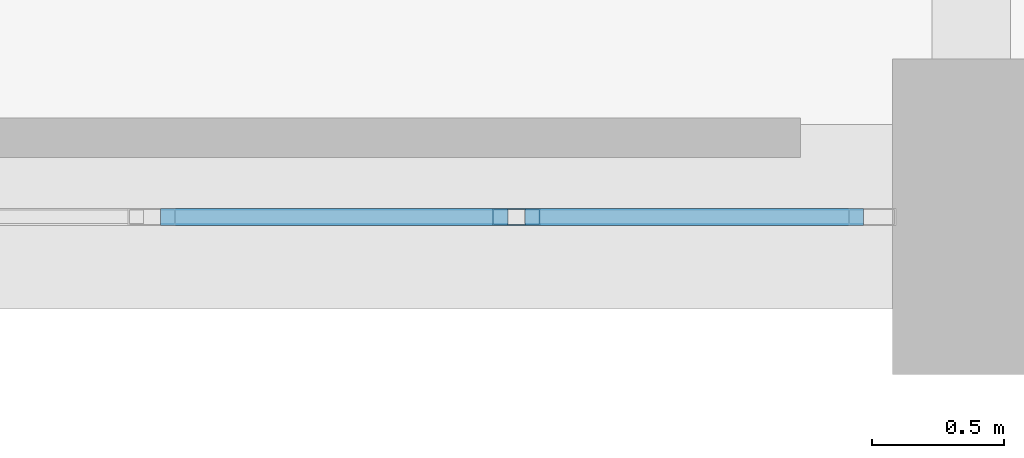
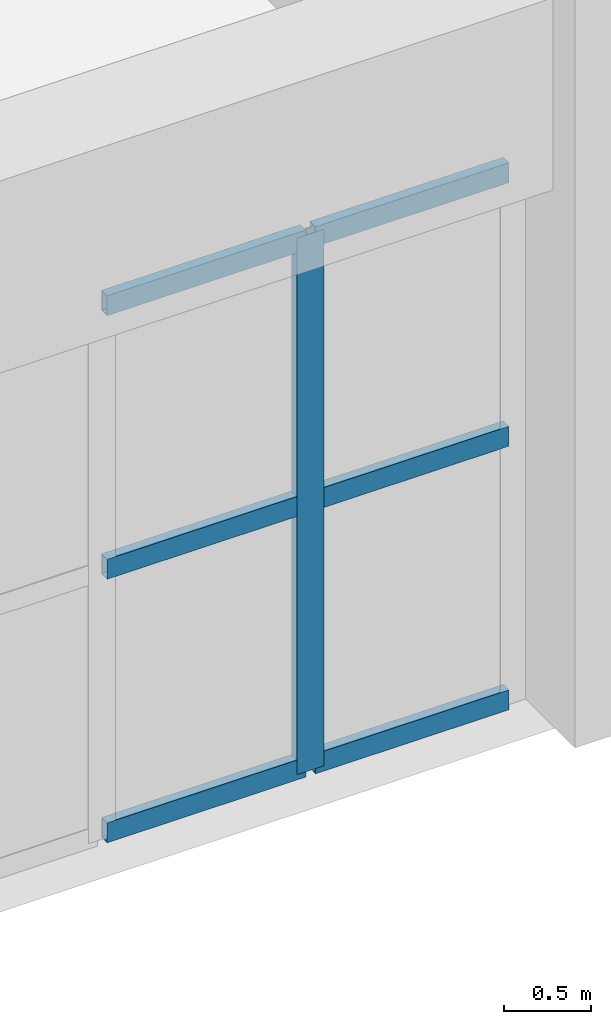
# One storey, part 26 of 140: 7 members, 1 element without a shape of its own.
"""IFC4 building model written with IfcOpenShell, lengths in metres."""

import ifcopenshell
import ifcopenshell.guid

model = None  # the IFC model being written
_history = None  # IfcOwnerHistory: only IFC2X3 demands one
_inside = {}  # id of a spatial element -> (the spatial element, [elements in it])
_under = {}  # id of a project, library or spatial element -> (it, [spatial elements below it])
_declared = {}  # id of a project -> (the project, [libraries it declares])
_typed = {}  # id of a type object -> (the type object, [elements of that type])
_made_of = {}  # id of a material, layer set ... -> (it, [elements and type objects made of it])


def new_model(schema):
    """Start an empty IFC model of exactly this schema.

    Asked for "IFC4X3", IfcOpenShell would pick the latest addendum, in which some entities
    have other attributes; the version numbers below select the first issue.
    IFC2X3 requires an IfcOwnerHistory on every rooted entity: one is made here for all.
    """
    global model, _history
    if schema == "IFC4X3":
        model = ifcopenshell.file(schema_version=(4, 3, 0, 0))
    else:
        model = ifcopenshell.file(schema=schema)
    _inside.clear()
    _under.clear()
    _declared.clear()
    _typed.clear()
    _made_of.clear()
    _history = None
    if model.schema == "IFC2X3":
        org = make("IfcOrganization", Name="unknown")
        user = make(
            "IfcPersonAndOrganization",
            ThePerson=make("IfcPerson", FamilyName="unknown"),
            TheOrganization=org,
        )
        app = make(
            "IfcApplication",
            ApplicationDeveloper=org,
            Version="unknown",
            ApplicationFullName="unknown",
            ApplicationIdentifier="unknown",
        )
        _history = make(
            "IfcOwnerHistory",
            OwningUser=user,
            OwningApplication=app,
            ChangeAction="ADDED",
            CreationDate=0,
        )
    return model


def make(cls, **values):
    """One entity of the class cls with the attributes given. An attribute that is None is left unset."""
    return model.create_entity(
        cls, **{name: value for name, value in values.items() if value is not None}
    )


def rooted(cls, **values):
    """An entity with a GlobalId (a new one), such as an element, a storey or a relation."""
    return make(cls, GlobalId=ifcopenshell.guid.new(), OwnerHistory=_history, **values)


def si_unit(unit_type, name, prefix=None):
    """IfcSIUnit, for example si_unit("LENGTHUNIT", "METRE", prefix="MILLI")."""
    return make("IfcSIUnit", UnitType=unit_type, Prefix=prefix, Name=name)


def assignment(units):
    """IfcUnitAssignment: the units of a project."""
    return None if units is None else make("IfcUnitAssignment", Units=units)


def point(xyz):
    """IfcCartesianPoint."""
    return None if xyz is None else make("IfcCartesianPoint", Coordinates=xyz)


def direction(xyz):
    """IfcDirection."""
    return None if xyz is None else make("IfcDirection", DirectionRatios=xyz)


def frame(location, z_axis=None, x_axis=None):
    """IfcAxis2Placement3D, a coordinate frame: its origin and axes. An axis left out is left unset."""
    return make(
        "IfcAxis2Placement3D",
        Location=point(location),
        Axis=direction(z_axis),
        RefDirection=direction(x_axis),
    )


def frame_2d(location, x_axis=None):
    """IfcAxis2Placement2D, a coordinate frame in the plane: its origin and x axis."""
    return make(
        "IfcAxis2Placement2D", Location=point(location), RefDirection=direction(x_axis)
    )


def origin():
    """The frame at (0, 0, 0) with its axes left unset."""
    return frame((0.0, 0.0, 0.0))


def origin_2d():
    """The frame at (0, 0) in the plane with its x axis left unset."""
    return frame_2d((0.0, 0.0))


def place(relative_to, where):
    """IfcLocalPlacement: puts the frame where relative to a parent placement (None: the world)."""
    return make(
        "IfcLocalPlacement", PlacementRelTo=relative_to, RelativePlacement=where
    )


def context(
    kind, dimensions, precision=None, world=None, true_north=None, identifier=None
):
    """IfcGeometricRepresentationContext, for example the 3D "Model" context."""
    return make(
        "IfcGeometricRepresentationContext",
        ContextIdentifier=identifier,
        ContextType=kind,
        CoordinateSpaceDimension=dimensions,
        Precision=precision,
        WorldCoordinateSystem=world,
        TrueNorth=true_north,
    )


def subcontext(parent, identifier, kind, view, scale=None):
    """IfcGeometricRepresentationSubContext, for example "Body" below "Model"."""
    return make(
        "IfcGeometricRepresentationSubContext",
        ContextIdentifier=identifier,
        ContextType=kind,
        ParentContext=parent,
        TargetScale=scale,
        TargetView=view,
    )


def project(units=None, contexts=None):
    """IfcProject with its units and contexts."""
    return rooted(
        "IfcProject",
        Name="project",
        RepresentationContexts=contexts,
        UnitsInContext=assignment(units),
    )


def spatial(cls, under=None, at=None, **own):
    """A site, building, storey or space (cls), placed at a placement, below another one or the project."""
    s = rooted(cls, ObjectPlacement=at, **own)
    if under is not None:
        _under.setdefault(under.id(), (under, []))[1].append(s)
    return s


def profile(cls, at=None, kind="AREA", **sizes):
    """A parametric profile (cls). Its sizes go by their IFC names, for example OverallWidth=200.0."""
    return make(cls, ProfileType=kind, Position=at, **sizes)


def hollow_rectangle(**sizes):
    """IfcRectangleHollowProfileDef."""
    return profile("IfcRectangleHollowProfileDef", **sizes)


def extrude(swept, where, along, depth):
    """IfcExtrudedAreaSolid: the profile swept, set in the frame where, extruded along a direction by depth."""
    return make(
        "IfcExtrudedAreaSolid",
        SweptArea=swept,
        Position=where,
        ExtrudedDirection=direction(along),
        Depth=depth,
    )


def shape(context_of_items, identifier, shape_type, items):
    """IfcShapeRepresentation: the items that make up one representation, for example the "Body"."""
    return make(
        "IfcShapeRepresentation",
        ContextOfItems=context_of_items,
        RepresentationIdentifier=identifier,
        RepresentationType=shape_type,
        Items=items,
    )


def material(Name=None, Category=None):
    """IfcMaterial."""
    return make("IfcMaterial", Name=Name, Category=Category)


def material_profile(
    of_material, cross_section, Name=None, Category=None, Priority=None
):
    """IfcMaterialProfile: a cross section and its material."""
    return make(
        "IfcMaterialProfile",
        Name=Name,
        Material=of_material,
        Profile=cross_section,
        Priority=Priority,
        Category=Category,
    )


def profile_set(profiles, Name=None, composite=None):
    """IfcMaterialProfileSet."""
    return make(
        "IfcMaterialProfileSet",
        Name=Name,
        MaterialProfiles=profiles,
        CompositeProfile=composite,
    )


def made_of(thing, what):
    """Note that an element or type object is made of a material, layer set ...; save() writes the relation."""
    if what is not None:
        _made_of.setdefault(what.id(), (what, []))[1].append(thing)
    return thing


def type_object(cls, material=None, **own):
    """A type object (cls), such as IfcWallType, which elements share."""
    return made_of(rooted(cls, **own), material)


def element(
    cls,
    number,
    at=None,
    inside=None,
    cuts=None,
    type_object=None,
    material=None,
    context=None,
    identifier="Body",
    shape_type=None,
    held_by="IfcProductDefinitionShape",
    body=None,
    shapes=None,
    **own,
):
    """One element of the class cls, such as IfcWall. Its Tag is "e" and its number.

    at: its placement. inside: the storey or other place that contains it. cuts: it is an
    opening in that element (IfcRelVoidsElement). A single representation is given by context,
    identifier, shape_type and body (its items); several are given by shapes. held_by: the class
    of the entity that holds the representations. save() writes the other relations.
    """
    e = rooted(cls, Tag="e%d" % number, ObjectPlacement=at, **own)
    if body is not None:
        shapes = [shape(context, identifier, shape_type, body)]
    if shapes is not None:
        e.Representation = make(held_by, Representations=shapes)
    if inside is not None:
        _inside.setdefault(inside.id(), (inside, []))[1].append(e)
    if cuts is not None:
        rooted(
            "IfcRelVoidsElement", RelatingBuildingElement=cuts, RelatedOpeningElement=e
        )
    if type_object is not None:
        _typed.setdefault(type_object.id(), (type_object, []))[1].append(e)
    return made_of(e, material)


def aggregate(whole, parts):
    """IfcRelAggregates: a whole, such as a stair, and the parts it consists of."""
    return rooted("IfcRelAggregates", RelatingObject=whole, RelatedObjects=parts)


def save(model, path):
    """Write the relations noted so far, then the file.

    IfcRelAggregates (storeys below a building ...), IfcRelContainedInSpatialStructure (elements
    in a storey), IfcRelDefinesByType, IfcRelAssociatesMaterial and IfcRelDeclares: one each for
    every whole, place, type object, material and project.
    """
    for whole, parts in _under.values():
        aggregate(whole, parts)
    for where, things in _inside.values():
        rooted(
            "IfcRelContainedInSpatialStructure",
            RelatedElements=things,
            RelatingStructure=where,
        )
    for kind, things in _typed.values():
        rooted("IfcRelDefinesByType", RelatedObjects=things, RelatingType=kind)
    for what, things in _made_of.values():
        rooted("IfcRelAssociatesMaterial", RelatedObjects=things, RelatingMaterial=what)
    for by, libraries in _declared.values():
        rooted("IfcRelDeclares", RelatingContext=by, RelatedDefinitions=libraries)
    model.write(path)


model = new_model("IFC4")

# Units and contexts
model_context = context("Model", 3, precision=1e-05, world=origin(), true_north=direction((0.0, 1.0)))
body_context = subcontext(model_context, "Body", "Model", "MODEL_VIEW")
ifc_project = project(units=[si_unit("LENGTHUNIT", "METRE"), si_unit("AREAUNIT", "SQUARE_METRE"), si_unit("VOLUMEUNIT", "CUBIC_METRE"), si_unit("PLANEANGLEUNIT", "RADIAN"), si_unit("MASSUNIT", "GRAM", prefix="KILO")], contexts=[model_context])

# Site, building, storey
site_placement = place(None, origin())
site = spatial("IfcSite", under=ifc_project, at=site_placement, CompositionType="ELEMENT")
building_placement = place(site_placement, origin())
building = spatial("IfcBuilding", under=site, at=building_placement, Name="Haizhuo Lancet Aquarium", CompositionType="ELEMENT")
storey_placement = place(building_placement, origin())
storey = spatial("IfcBuildingStorey", under=building, at=storey_placement, Name="L00", CompositionType="ELEMENT", Elevation=0.0)

# Curtain wall, members
ifc_material = material(Name="Aluminium 6063-T6", Category="aluminium")
curtain_wall_type = type_object("IfcCurtainWallType", Name="CWO-8310x3770", PredefinedType="NOTDEFINED", material=ifc_material)
curtain_wall_placement = place(storey_placement, origin())
curtain_wall = element("IfcCurtainWall", 1, at=curtain_wall_placement, inside=storey, type_object=curtain_wall_type, Name="L00 curtain wall CW-V4-L00-088", PredefinedType="NOTDEFINED")
ifc_material_profile_1 = material_profile(ifc_material, hollow_rectangle(XDim=0.06494140625, YDim=0.179931640625, WallThickness=0.00390625, at=origin_2d()), Name="ALU-M 65x180x4")
ifc_profile_set_1 = profile_set([ifc_material_profile_1], Name="Aluminium 6063-T6")
member_type_1 = type_object("IfcMemberType", Name="CW-MUL-1", PredefinedType="MULLION", material=ifc_profile_set_1)
member_1_placement = place(storey_placement, frame((-1.72998046875, -55.800048828125, 0.0), z_axis=(0.0, 0.0, 1.0), x_axis=(0.0, -1.0, 0.0)))
member_1 = element("IfcMember", 2, at=member_1_placement, type_object=member_type_1, Name="CWO-83x37 mullion 2", PredefinedType="MULLION", context=body_context, shape_type="SweptSolid", body=[
    extrude(hollow_rectangle(XDim=0.06494140625, YDim=0.179931640625, WallThickness=0.00390625, at=origin_2d()), origin(), (0.0, 0.0, 1.0), 3.77001953125),
])
ifc_material_profile_2 = material_profile(ifc_material, hollow_rectangle(XDim=0.06494140625, YDim=0.139892578125, WallThickness=0.00390625, at=origin_2d()), Name="ALU-T 65x140x4")
ifc_profile_set_2 = profile_set([ifc_material_profile_2], Name="Aluminium 6063-T6")
member_type_2 = type_object("IfcMemberType", Name="CW-TRN-1", PredefinedType="NOTDEFINED", material=ifc_profile_set_2)
member_2_placement = place(storey_placement, frame((-0.409912109375, -55.800048828125, 0.032958984375), z_axis=(-1.0, 0.0, 0.0), x_axis=(0.0, -1.0, 0.0)))
member_2 = element("IfcMember", 3, at=member_2_placement, type_object=member_type_2, Name="CWO-83x37 transom 1.1", ObjectType="TRANSOM", PredefinedType="USERDEFINED", context=body_context, shape_type="SweptSolid", body=[
    extrude(hollow_rectangle(XDim=0.06494140625, YDim=0.139892578125, WallThickness=0.00390625, at=origin_2d()), origin(), (0.0, 0.0, 1.0), 1.287109375),
])
member_3_placement = place(storey_placement, frame((-0.409912109375, -55.800048828125, 1.885009765625), z_axis=(-1.0, 0.0, 0.0), x_axis=(0.0, -1.0, 0.0)))
member_3 = element("IfcMember", 4, at=member_3_placement, type_object=member_type_2, Name="CWO-83x37 transom 1.2", ObjectType="TRANSOM", PredefinedType="USERDEFINED", context=body_context, shape_type="SweptSolid", body=[
    extrude(hollow_rectangle(XDim=0.06494140625, YDim=0.139892578125, WallThickness=0.00390625, at=origin_2d()), origin(), (0.0, 0.0, 1.0), 1.287109375),
])
member_4_placement = place(storey_placement, frame((-0.409912109375, -55.800048828125, 3.737060546875), z_axis=(-1.0, 0.0, 0.0), x_axis=(0.0, -1.0, 0.0)))
member_4 = element("IfcMember", 5, at=member_4_placement, type_object=member_type_2, Name="CWO-83x37 transom 1.3", ObjectType="TRANSOM", PredefinedType="USERDEFINED", context=body_context, shape_type="SweptSolid", body=[
    extrude(hollow_rectangle(XDim=0.06494140625, YDim=0.139892578125, WallThickness=0.00390625, at=origin_2d()), origin(), (0.0, 0.0, 1.0), 1.287109375),
])
member_5_placement = place(storey_placement, frame((-1.761962890625, -55.800048828125, 0.032958984375), z_axis=(-1.0, 0.0, 0.0), x_axis=(0.0, -1.0, 0.0)))
member_5 = element("IfcMember", 6, at=member_5_placement, type_object=member_type_2, Name="CWO-83x37 transom 2.1", ObjectType="TRANSOM", PredefinedType="USERDEFINED", context=body_context, shape_type="SweptSolid", body=[
    extrude(hollow_rectangle(XDim=0.06494140625, YDim=0.139892578125, WallThickness=0.00390625, at=origin_2d()), origin(), (0.0, 0.0, 1.0), 1.320068359375),
])
member_6_placement = place(storey_placement, frame((-1.761962890625, -55.800048828125, 1.885009765625), z_axis=(-1.0, 0.0, 0.0), x_axis=(0.0, -1.0, 0.0)))
member_6 = element("IfcMember", 7, at=member_6_placement, type_object=member_type_2, Name="CWO-83x37 transom 2.2", ObjectType="TRANSOM", PredefinedType="USERDEFINED", context=body_context, shape_type="SweptSolid", body=[
    extrude(hollow_rectangle(XDim=0.06494140625, YDim=0.139892578125, WallThickness=0.00390625, at=origin_2d()), origin(), (0.0, 0.0, 1.0), 1.320068359375),
])
member_7_placement = place(storey_placement, frame((-1.761962890625, -55.800048828125, 3.737060546875), z_axis=(-1.0, 0.0, 0.0), x_axis=(0.0, -1.0, 0.0)))
member_7 = element("IfcMember", 8, at=member_7_placement, type_object=member_type_2, Name="CWO-83x37 transom 2.3", ObjectType="TRANSOM", PredefinedType="USERDEFINED", context=body_context, shape_type="SweptSolid", body=[
    extrude(hollow_rectangle(XDim=0.06494140625, YDim=0.139892578125, WallThickness=0.00390625, at=origin_2d()), origin(), (0.0, 0.0, 1.0), 1.320068359375),
])
aggregate(curtain_wall, [member_1, member_2, member_3, member_4, member_5, member_6, member_7])

save(model, "model.ifc")
